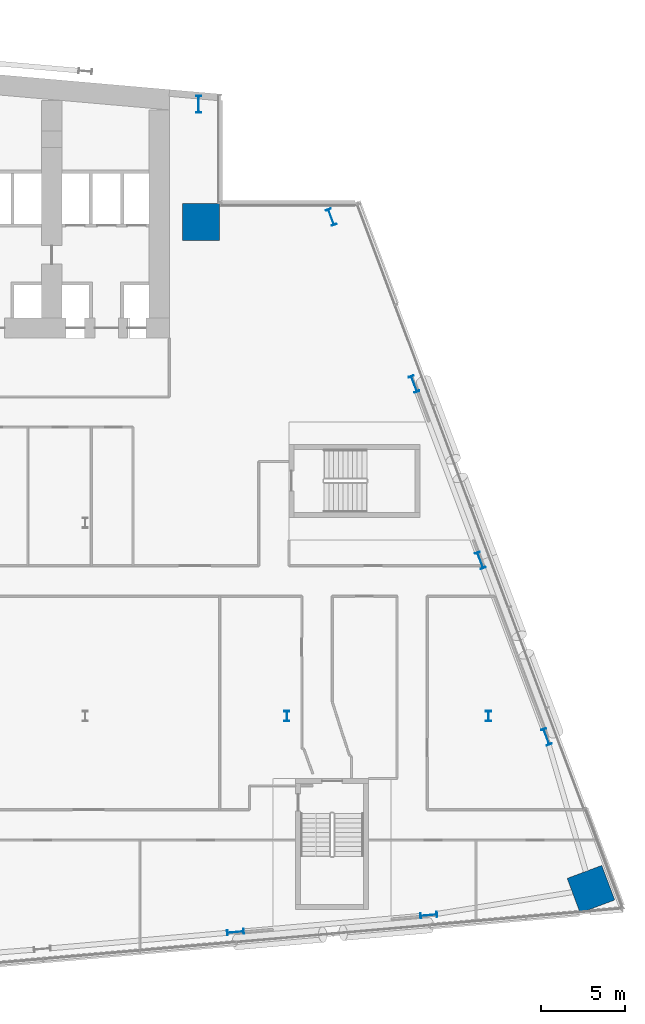
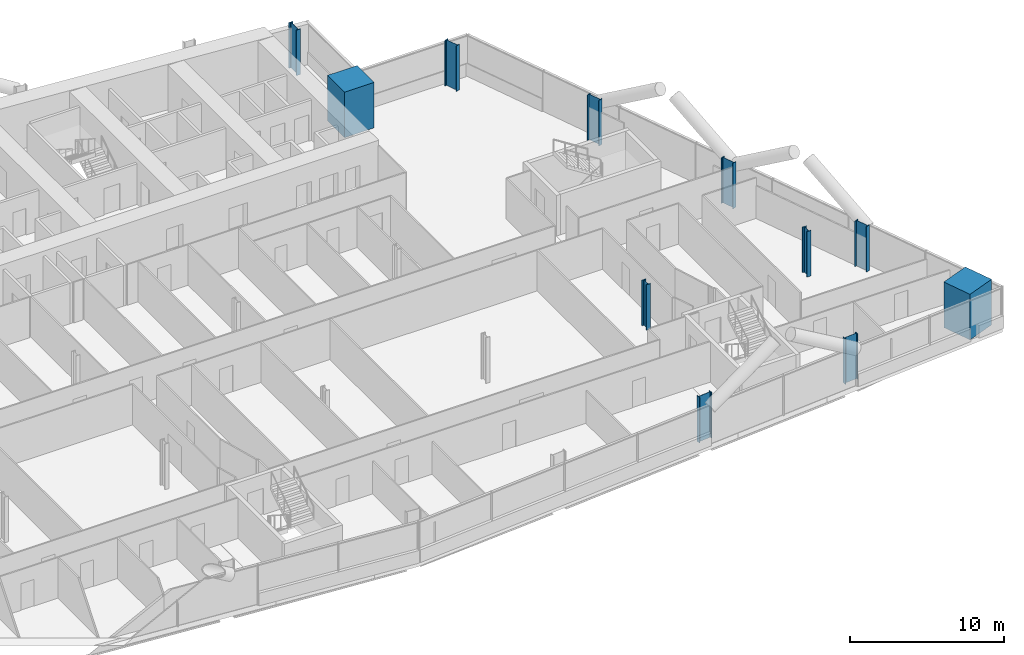
# One storey, part 3 of 28: 11 columns.
"""IFC4 building model written with IfcOpenShell, lengths in metres."""

from ifc_helpers import new_model, si_unit, direction, frame, origin, origin_2d, place, context, subcontext, project, spatial, rectangle, i_section, extrude, material, material_profile, profile_set, type_object, element, save


model = new_model("IFC4")

# Units and contexts
model_context = context("Model", 3, precision=1e-05, world=origin(), true_north=direction((0.0, 1.0)))
body_context = subcontext(model_context, "Body", "Model", "MODEL_VIEW")
ifc_project = project(units=[si_unit("LENGTHUNIT", "METRE"), si_unit("AREAUNIT", "SQUARE_METRE"), si_unit("VOLUMEUNIT", "CUBIC_METRE"), si_unit("PLANEANGLEUNIT", "RADIAN"), si_unit("MASSUNIT", "GRAM", prefix="KILO")], contexts=[model_context])

# Site, building, storey
site_placement = place(None, origin())
site = spatial("IfcSite", under=ifc_project, at=site_placement, CompositionType="ELEMENT")
building_placement = place(site_placement, origin())
building = spatial("IfcBuilding", under=site, at=building_placement, Name="Wharfspan Tower", CompositionType="ELEMENT")
storey_placement = place(building_placement, frame((0.0, 0.0, 59.5)))
storey = spatial("IfcBuildingStorey", under=building, at=storey_placement, Name="L11", CompositionType="ELEMENT", Elevation=59.5)

# Columns
ifc_material_1 = material(Name="Steel S355J2", Category="steel")
ifc_material_profile_1 = material_profile(ifc_material_1, i_section(OverallWidth=0.302002, OverallDepth=1.008057, WebThickness=0.020996, FlangeThickness=0.040039, FilletRadius=0.030029, at=origin_2d()))
ifc_profile_set_1 = profile_set([ifc_material_profile_1], Name="Steel S355J2")
column_type_1 = type_object("IfcColumnType", Name="Column HEM 1000", PredefinedType="COLUMN", material=ifc_profile_set_1)
for number, where, z_axis, x_axis, name in (
    (1, (68.942383, -1.354736, 0.0), (0.0, 0.0, 1.0), (0.087156, -0.996198, 0.0), "Perimeter column PS2.2 L11"),
    (2, (80.442383, -0.348633, 0.0), (0.0, 0.0, 1.0), (0.087156, -0.996198, 0.0), "Perimeter column PS2.3 L11"),
    (3, (87.44458, 10.268311, 0.0), (0.0, 0.0, 1.0), (0.936328, 0.351123, 0.0), "Perimeter column PE.1 L11"),
    (4, (83.50708, 20.768311, 0.0), (0.0, 0.0, 1.0), (0.936328, 0.351123, 0.0), "Perimeter column PE.2 L11"),
    (5, (79.56958, 31.268311, 0.0), (0.0, 0.0, 1.0), (0.936328, 0.351123, 0.0), "Perimeter column PE.3 L11"),
    (6, (74.634277, 41.196289, 0.0), (0.0, 0.0, 1.0), (0.936328, 0.351123, 0.0), "Perimeter column PE.4 L11"),
    (7, (66.747803, 47.915283, 0.0), (0.0, 0.0, 1.0), (1.0, 0.0, 0.0), "Perimeter column PNRE-V.1 L11"),
):
    element("IfcColumn", number, at=place(storey_placement, frame(where, z_axis=z_axis, x_axis=x_axis)), inside=storey, type_object=column_type_1, Name=name, PredefinedType="COLUMN", context=body_context, shape_type="SweptSolid", body=[
        extrude(i_section(OverallWidth=0.302002, OverallDepth=1.008057, WebThickness=0.020996, FlangeThickness=0.040039, FilletRadius=0.030029, at=origin_2d()), origin(), (0.0, 0.0, 1.0), 3.600098),
    ])
ifc_material_profile_2 = material_profile(ifc_material_1, i_section(OverallWidth=0.304932, OverallDepth=0.620117, WebThickness=0.020996, FlangeThickness=0.040039, FilletRadius=0.0271, at=origin_2d()))
ifc_profile_set_2 = profile_set([ifc_material_profile_2], Name="Steel S355J2")
column_type_2 = type_object("IfcColumnType", Name="Column HEM 600", PredefinedType="COLUMN", material=ifc_profile_set_2)
for number, where, z_axis, x_axis, name in (
    (8, (72.0, 11.5, 0.0), (0.0, 0.0, 1.0), (1.0, 0.0, 0.0), "Interior column I.1.6 L11"),
    (9, (84.0, 11.5, 0.0), (0.0, 0.0, 1.0), (1.0, 0.0, 0.0), "Interior column I.1.7 L11"),
):
    element("IfcColumn", number, at=place(storey_placement, frame(where, z_axis=z_axis, x_axis=x_axis)), inside=storey, type_object=column_type_2, Name=name, PredefinedType="COLUMN", context=body_context, shape_type="SweptSolid", body=[
        extrude(i_section(OverallWidth=0.304932, OverallDepth=0.620117, WebThickness=0.020996, FlangeThickness=0.040039, FilletRadius=0.0271, at=origin_2d()), origin(), (0.0, 0.0, 1.0), 3.600098),
    ])
ifc_material_2 = material(Name="Concrete C70/85", Category="concrete")
ifc_material_profile_3 = material_profile(ifc_material_2, rectangle(XDim=2.199951, YDim=2.199951, at=origin_2d()))
ifc_profile_set_3 = profile_set([ifc_material_profile_3], Name="Concrete C70/85")
column_type_3 = type_object("IfcColumnType", Name="Mega column 2200 C70/85", PredefinedType="COLUMN", material=ifc_profile_set_3)
for number, where, z_axis, x_axis, name in (
    (10, (66.899902, 40.899902, 0.0), (0.0, 0.0, 1.0), (1.0, 0.0, 0.0), "Mega column MC3 L11"),
    (11, (90.096436, 1.199707, 0.0), (0.0, 0.0, 1.0), (-0.351123, 0.936328, 0.0), "Mega column MC4 L11"),
):
    element("IfcColumn", number, at=place(storey_placement, frame(where, z_axis=z_axis, x_axis=x_axis)), inside=storey, type_object=column_type_3, Name=name, PredefinedType="COLUMN", context=body_context, shape_type="SweptSolid", body=[
        extrude(rectangle(XDim=2.199951, YDim=2.199951, at=origin_2d()), origin(), (0.0, 0.0, 1.0), 3.600098),
    ])

save(model, "model.ifc")
